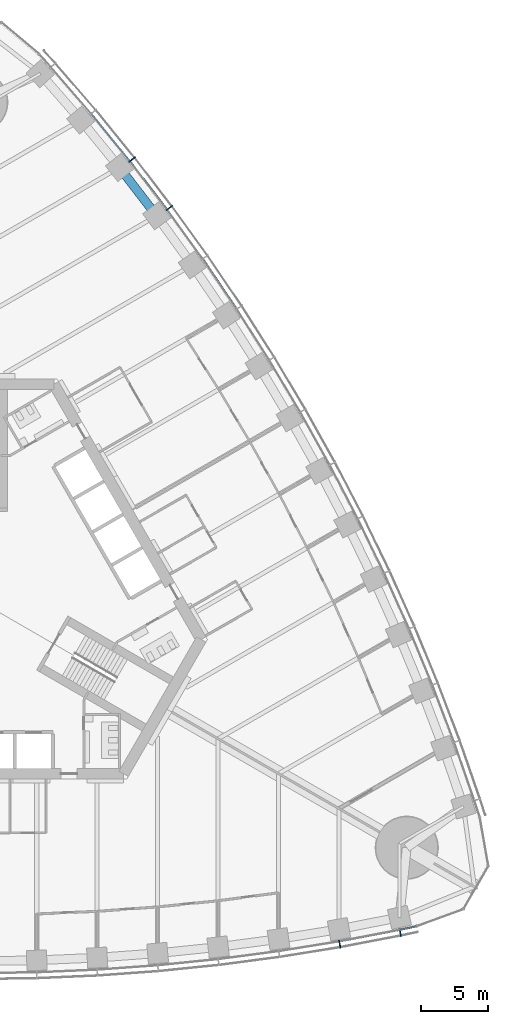
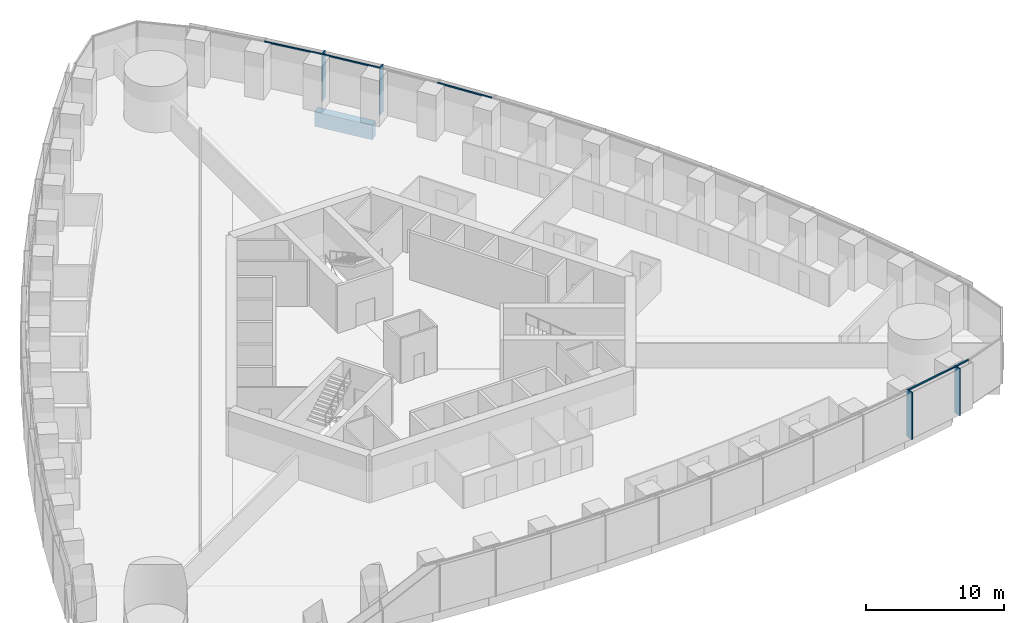
# One storey, part 5 of 18: 9 members, 1 beam, 2 elements without a shape of their own.
"""IFC4 building model written with IfcOpenShell, lengths in metres."""

from ifc_helpers import new_model, si_unit, direction, frame, origin, origin_2d, place, context, subcontext, project, spatial, rectangle, extrude, material, material_profile, profile_set, type_object, element, aggregate, save


model = new_model("IFC4")

# Units and contexts
model_context = context("Model", 3, precision=1e-05, world=origin(), true_north=direction((0.0, 1.0)))
body_context = subcontext(model_context, "Body", "Model", "MODEL_VIEW")
ifc_project = project(units=[si_unit("LENGTHUNIT", "METRE"), si_unit("AREAUNIT", "SQUARE_METRE"), si_unit("VOLUMEUNIT", "CUBIC_METRE"), si_unit("PLANEANGLEUNIT", "RADIAN"), si_unit("MASSUNIT", "GRAM", prefix="KILO")], contexts=[model_context])

# Site, building, storey
site_placement = place(None, origin())
site = spatial("IfcSite", under=ifc_project, at=site_placement, CompositionType="ELEMENT")
building_placement = place(site_placement, origin())
building = spatial("IfcBuilding", under=site, at=building_placement, Name="Trefoil Bronze Tower", CompositionType="ELEMENT")
storey_placement = place(building_placement, frame((0.0, 0.0, 50.10009765625)))
storey = spatial("IfcBuildingStorey", under=building, at=storey_placement, Name="L11", CompositionType="ELEMENT", Elevation=50.10009765625)

# Curtain wall, members
ifc_material_1 = material(Name="Tinted solar-control glass", Category="glass")
curtain_wall_type = type_object("IfcCurtainWallType", Name="Bronze office curtain wall", PredefinedType="USERDEFINED", material=ifc_material_1)
curtain_wall_1_placement = place(storey_placement, origin())
curtain_wall_1 = element("IfcCurtainWall", 1, at=curtain_wall_1_placement, inside=storey, type_object=curtain_wall_type, Name="CW-A L11 F1", ObjectType="CURTAIN WALL", PredefinedType="USERDEFINED")
ifc_material_2 = material(Name="Bronze-finish aluminium", Category="aluminium")
ifc_material_profile_1 = material_profile(ifc_material_2, rectangle(XDim=0.60009765625, YDim=0.080078125, at=origin_2d()), Name="CW-A mullion")
ifc_profile_set_1 = profile_set([ifc_material_profile_1], Name="Bronze-finish aluminium")
member_type_1 = type_object("IfcMemberType", Name="Bronze office curtain wall mullion", PredefinedType="MULLION", material=ifc_profile_set_1)
member_1_placement = place(storey_placement, frame((27.05224609375, -25.67578125, 0.0), z_axis=(0.0, 0.0, 1.0), x_axis=(-0.174131146426, 0.984722470468, 0.0)))
member_1 = element("IfcMember", 2, at=member_1_placement, type_object=member_type_1, Name="CW-A L11 F1 mullion 15", PredefinedType="MULLION", context=body_context, shape_type="SweptSolid", body=[
    extrude(rectangle(XDim=0.60009765625, YDim=0.080078125, at=origin_2d()), origin(), (0.0, 0.0, 1.0), 4.179931640625),
])
member_2_placement = place(storey_placement, frame((31.559326171875, -24.81005859375, 0.0), z_axis=(0.0, 0.0, 1.0), x_axis=(-0.197910006829, 0.98022019424, 0.0)))
member_2 = element("IfcMember", 3, at=member_2_placement, type_object=member_type_1, Name="CW-A L11 F1 mullion 16", PredefinedType="MULLION", context=body_context, shape_type="SweptSolid", body=[
    extrude(rectangle(XDim=0.60009765625, YDim=0.080078125, at=origin_2d()), origin(), (0.0, 0.0, 1.0), 4.179931640625),
])

curtain_wall_2_placement = place(storey_placement, origin())
curtain_wall_2 = element("IfcCurtainWall", 4, at=curtain_wall_2_placement, inside=storey, type_object=curtain_wall_type, Name="CW-A L11 F2", ObjectType="CURTAIN WALL", PredefinedType="USERDEFINED")
member_3_placement = place(storey_placement, frame((14.364013671875, 29.117919921875, 0.0), z_axis=(0.0, 0.0, 1.0), x_axis=(-0.802126748469, -0.59715381552, 0.0)))
member_3 = element("IfcMember", 5, at=member_3_placement, type_object=member_type_1, Name="CW-A L11 F2 mullion 13", PredefinedType="MULLION", context=body_context, shape_type="SweptSolid", body=[
    extrude(rectangle(XDim=0.60009765625, YDim=0.080078125, at=origin_2d()), origin(), (0.0, 0.0, 1.0), 4.179931640625),
])
member_4_placement = place(storey_placement, frame((11.595458984375, 32.7255859375, 0.0), z_axis=(0.0, 0.0, 1.0), x_axis=(-0.784304615744, -0.620375910011, 0.0)))
member_4 = element("IfcMember", 6, at=member_4_placement, type_object=member_type_1, Name="CW-A L11 F2 mullion 14", PredefinedType="MULLION", context=body_context, shape_type="SweptSolid", body=[
    extrude(rectangle(XDim=0.60009765625, YDim=0.080078125, at=origin_2d()), origin(), (0.0, 0.0, 1.0), 4.179931640625),
])

# Member
ifc_material_3 = material(Name="Bronze-finish aluminium", Category="aluminium")
ifc_material_profile_2 = material_profile(ifc_material_3, rectangle(XDim=0.1201171875, YDim=0.10009765625, at=origin_2d()), Name="CW-A transom")
ifc_profile_set_2 = profile_set([ifc_material_profile_2], Name="Bronze-finish aluminium")
member_type_2 = type_object("IfcMemberType", Name="Bronze office curtain wall transom", PredefinedType="USERDEFINED", material=ifc_profile_set_2)
member_5_placement = place(storey_placement, frame((27.05810546875, -25.470947265625, 4.1298828125), z_axis=(0.982053603997, 0.188602011855, 0.0), x_axis=(-0.188602011855, 0.982053603997, 0.0)))
member_5 = element("IfcMember", 7, at=member_5_placement, type_object=member_type_2, Name="CW-A L11 F1 transom 15", ObjectType="TRANSOM", PredefinedType="USERDEFINED", context=body_context, shape_type="SweptSolid", body=[
    extrude(rectangle(XDim=0.1201171875, YDim=0.10009765625, at=origin_2d()), origin(), (0.0, 0.0, 1.0), 4.502197265625),
])

member_6_placement = place(storey_placement, frame((31.559814453125, -24.605712890625, 4.1298828125), z_axis=(0.978266371807, 0.207352129942, 0.0), x_axis=(-0.207352129942, 0.978266371807, 0.0)))
member_6 = element("IfcMember", 8, at=member_6_placement, type_object=member_type_2, Name="CW-A L11 F1 transom 16", ObjectType="TRANSOM", PredefinedType="USERDEFINED", context=body_context, shape_type="SweptSolid", body=[
    extrude(rectangle(XDim=0.1201171875, YDim=0.10009765625, at=origin_2d()), origin(), (0.0, 0.0, 1.0), 1.21044921875),
])

aggregate(curtain_wall_1, [member_1, member_2, member_5, member_6])

member_7_placement = place(storey_placement, frame((19.364990234375, 21.627197265625, 4.1298828125), z_axis=(-0.561508153923, 0.827471203775, 0.0), x_axis=(-0.827471203775, -0.561508153923, 0.0)))
member_7 = element("IfcMember", 9, at=member_7_placement, type_object=member_type_2, Name="CW-A L11 F2 transom 11", ObjectType="TRANSOM", PredefinedType="USERDEFINED", context=body_context, shape_type="SweptSolid", body=[
    extrude(rectangle(XDim=0.1201171875, YDim=0.10009765625, at=origin_2d()), origin(), (0.0, 0.0, 1.0), 4.431884765625),
])

member_8_placement = place(storey_placement, frame((14.178466796875, 29.031494140625, 4.1298828125), z_axis=(-0.608829203216, 0.793301330713, 0.0), x_axis=(-0.793301330713, -0.608829203216, 0.0)))
member_8 = element("IfcMember", 10, at=member_8_placement, type_object=member_type_2, Name="CW-A L11 F2 transom 13", ObjectType="TRANSOM", PredefinedType="USERDEFINED", context=body_context, shape_type="SweptSolid", body=[
    extrude(rectangle(XDim=0.1201171875, YDim=0.10009765625, at=origin_2d()), origin(), (0.0, 0.0, 1.0), 4.458740234375),
])

member_9_placement = place(storey_placement, frame((11.412353515625, 32.6337890625, 4.1298828125), z_axis=(-0.631835540201, 0.775102477185, 0.0), x_axis=(-0.775102477185, -0.631835540201, 0.0)))
member_9 = element("IfcMember", 11, at=member_9_placement, type_object=member_type_2, Name="CW-A L11 F2 transom 14", ObjectType="TRANSOM", PredefinedType="USERDEFINED", context=body_context, shape_type="SweptSolid", body=[
    extrude(rectangle(XDim=0.1201171875, YDim=0.10009765625, at=origin_2d()), origin(), (0.0, 0.0, 1.0), 4.478271484375),
])

aggregate(curtain_wall_2, [member_3, member_4, member_7, member_8, member_9])

# Beam
ifc_material_4 = material(Name="Concrete B80", Category="concrete")
ifc_material_profile_3 = material_profile(ifc_material_4, rectangle(XDim=0.64990234375, YDim=1.300048828125, at=origin_2d()), Name="RC 650x1300")
ifc_profile_set_3 = profile_set([ifc_material_profile_3], Name="Concrete B80")
beam_type = type_object("IfcBeamType", Name="Spandrel beam RC 650x1300", PredefinedType="SPANDREL", material=ifc_profile_set_3)
beam_placement = place(storey_placement, frame((13.42578125, 28.5361328125, -0.85009765625), z_axis=(-0.609338992146, 0.792909826305, 0.0), x_axis=(-0.792909826305, -0.609338992146, 0.0)))
element("IfcBeam", 12, at=beam_placement, inside=storey, type_object=beam_type, Name="Spandrel F2.13 L11", PredefinedType="SPANDREL", context=body_context, shape_type="SweptSolid", body=[
    extrude(rectangle(XDim=0.64990234375, YDim=1.300048828125, at=origin_2d()), origin(), (0.0, 0.0, 1.0), 4.5390625),
])

save(model, "model.ifc")
